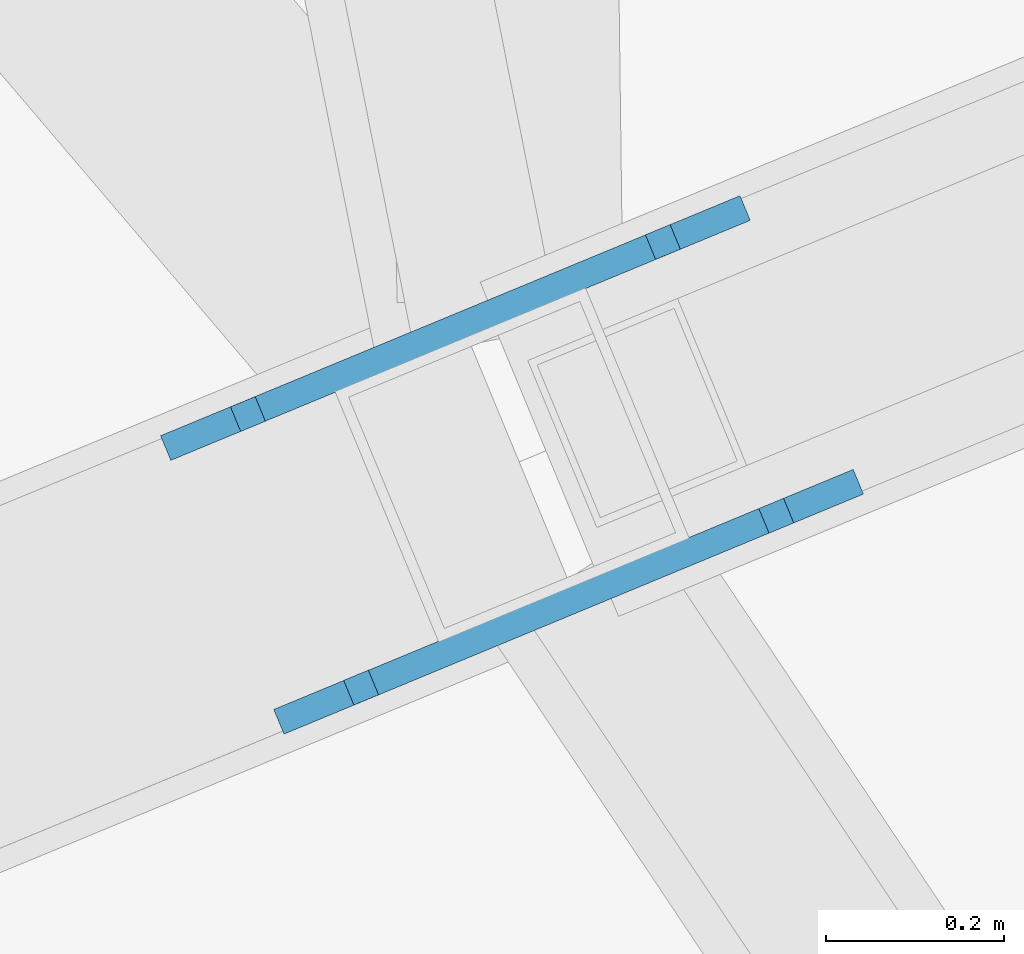
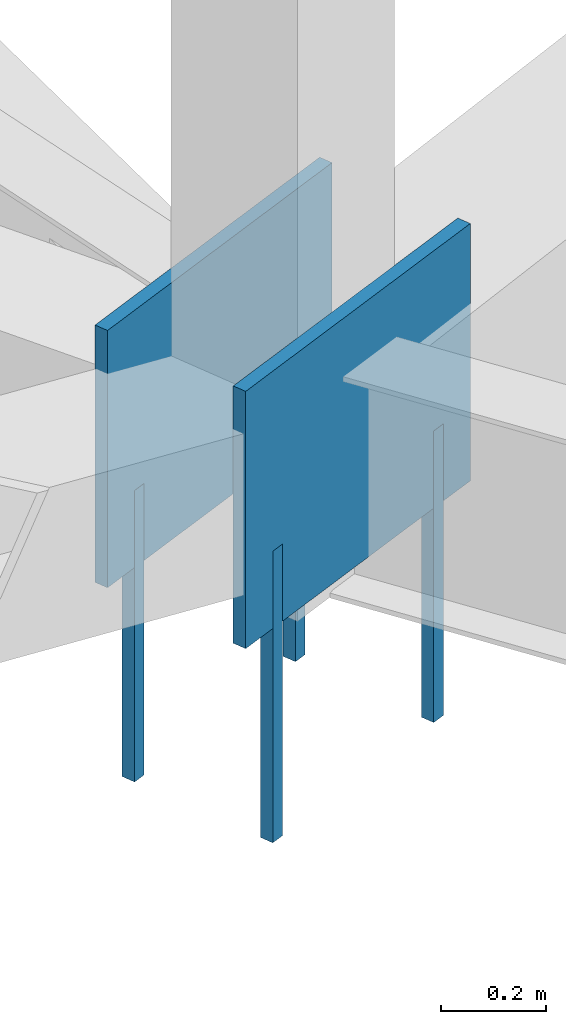
# One storey, part 124 of 278: 4 mechanical fasteners, 2 discrete accessories.
"""IFC4 building model written with IfcOpenShell, lengths in metres."""

from ifc_helpers import new_model, si_unit, direction, frame, origin, origin_2d, place, context, subcontext, project, spatial, rectangle, extrude, material, layer, layer_set, type_object, element, save


model = new_model("IFC4")

# Units and contexts
model_context = context("Model", 3, precision=1e-05, world=origin(), true_north=direction((0.0, 1.0)))
body_context = subcontext(model_context, "Body", "Model", "MODEL_VIEW")
ifc_project = project(units=[si_unit("LENGTHUNIT", "METRE"), si_unit("AREAUNIT", "SQUARE_METRE"), si_unit("VOLUMEUNIT", "CUBIC_METRE"), si_unit("PLANEANGLEUNIT", "RADIAN"), si_unit("MASSUNIT", "GRAM", prefix="KILO")], contexts=[model_context])

# Site, building, storey
site_placement = place(None, origin())
site = spatial("IfcSite", under=ifc_project, at=site_placement, CompositionType="ELEMENT")
building_placement = place(site_placement, origin())
building = spatial("IfcBuilding", under=site, at=building_placement, Name="Ogive Plaza Stadium", CompositionType="ELEMENT")
storey_placement = place(building_placement, frame((0.0, 0.0, 29.0)))
storey = spatial("IfcBuildingStorey", under=building, at=storey_placement, Name="Roof", CompositionType="ELEMENT", Elevation=29.0)

# Mechanical fasteners
ifc_material_1 = material(Name="Steel ASTM A992 Grade 50", Category="steel")
mechanical_fastener_type = type_object("IfcMechanicalFastenerType", Name="Anchor bolt M30 x 600", PredefinedType="ANCHORBOLT", material=ifc_material_1)
for number, where, z_axis, x_axis, name in (
    (1, (-71.124755859375, -68.0576171875, -0.5), (0.0, 0.0, 1.0), (-0.923879532511, -0.382683432365, 0.0), "ANCHOR BOLT 20 BP 1.1"),
    (2, (-70.658203125, -67.864501953125, -0.5), (0.0, 0.0, 1.0), (-0.923879532511, -0.382683432365, 0.0), "ANCHOR BOLT 20 BP 1.2"),
    (3, (-71.251953125, -67.750244140625, -0.5), (0.0, 0.0, 1.0), (-0.923879532511, -0.382683432365, 0.0), "ANCHOR BOLT 20 BP 2.1"),
    (4, (-70.78564453125, -67.556884765625, -0.5), (0.0, 0.0, 1.0), (-0.923879532511, -0.382683432365, 0.0), "ANCHOR BOLT 20 BP 2.2"),
):
    element("IfcMechanicalFastener", number, at=place(storey_placement, frame(where, z_axis=z_axis, x_axis=x_axis)), inside=storey, type_object=mechanical_fastener_type, Name=name, PredefinedType="ANCHORBOLT", context=body_context, shape_type="SweptSolid", body=[
        extrude(rectangle(XDim=0.030029296875, YDim=0.030029296875, at=origin_2d()), origin(), (0.0, 0.0, 1.0), 0.679931640625),
    ])

# Discrete accessories
ifc_material_2 = material(Name="Steel ASTM A992 Grade 50", Category="steel")
ifc_layer = layer(ifc_material_2, 0.030029296875)
ifc_layer_set = layer_set([ifc_layer], Name="Steel ASTM A992 Grade 50")
discrete_accessory_type = type_object("IfcDiscreteAccessoryType", Name="Truss root foot cleat plate 30", PredefinedType="ANCHORPLATE", material=ifc_layer_set)
for number, where, z_axis, x_axis, name in (
    (5, (-70.8916015625, -67.961181640625, 0.0), (0.0, 0.0, 1.0), (-0.923879532511, -0.382683432365, 0.0), "TRUSS ROOT FOOT CLEAT PLATE 20 1"),
    (6, (-71.018798828125, -67.653564453125, 0.0), (0.0, 0.0, 1.0), (-0.923879532511, -0.382683432365, 0.0), "TRUSS ROOT FOOT CLEAT PLATE 20 2"),
):
    element("IfcDiscreteAccessory", number, at=place(storey_placement, frame(where, z_axis=z_axis, x_axis=x_axis)), inside=storey, type_object=discrete_accessory_type, Name=name, PredefinedType="ANCHORPLATE", context=body_context, shape_type="SweptSolid", body=[
        extrude(rectangle(XDim=0.704833984375, YDim=0.030029296875, at=origin_2d()), origin(), (0.0, 0.0, 1.0), 0.60009765625),
    ])

save(model, "model.ifc")
